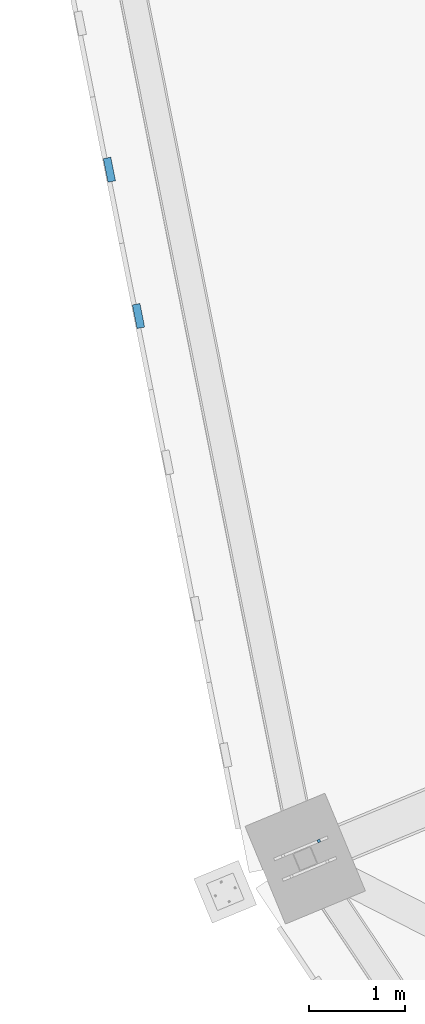
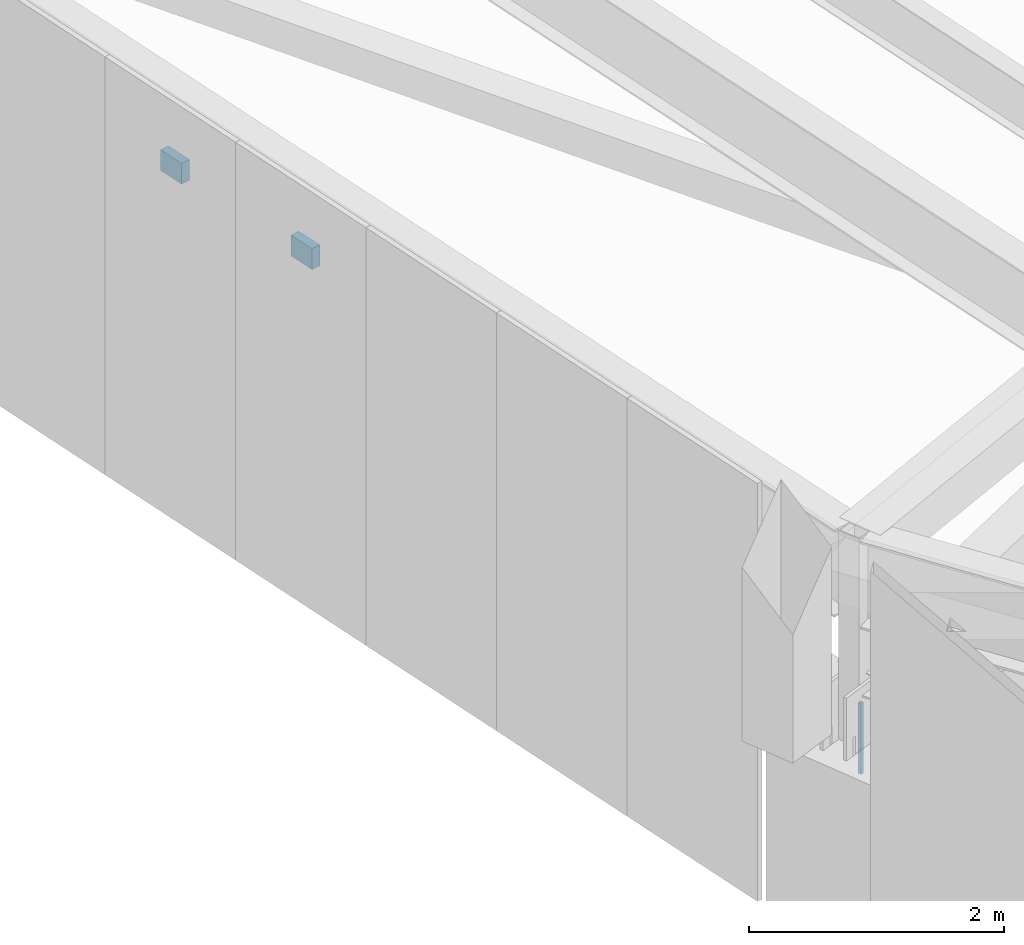
# One storey, part 123 of 278: 2 discrete accessories, 1 mechanical fastener.
"""IFC4 building model written with IfcOpenShell, lengths in metres."""

from ifc_helpers import new_model, si_unit, direction, frame, origin, origin_2d, place, context, subcontext, project, spatial, rectangle, extrude, material, layer, layer_set, type_object, element, save


model = new_model("IFC4")

# Units and contexts
model_context = context("Model", 3, precision=1e-05, world=origin(), true_north=direction((0.0, 1.0)))
body_context = subcontext(model_context, "Body", "Model", "MODEL_VIEW")
ifc_project = project(units=[si_unit("LENGTHUNIT", "METRE"), si_unit("AREAUNIT", "SQUARE_METRE"), si_unit("VOLUMEUNIT", "CUBIC_METRE"), si_unit("PLANEANGLEUNIT", "RADIAN"), si_unit("MASSUNIT", "GRAM", prefix="KILO")], contexts=[model_context])

# Site, building, storey
site_placement = place(None, origin())
site = spatial("IfcSite", under=ifc_project, at=site_placement, CompositionType="ELEMENT")
building_placement = place(site_placement, origin())
building = spatial("IfcBuilding", under=site, at=building_placement, Name="Ogive Plaza Stadium", CompositionType="ELEMENT")
storey_placement = place(building_placement, frame((0.0, 0.0, 29.0)))
storey = spatial("IfcBuildingStorey", under=building, at=storey_placement, Name="Roof", CompositionType="ELEMENT", Elevation=29.0)

# Mechanical fastener
ifc_material_1 = material(Name="Steel ASTM A992 Grade 50", Category="steel")
mechanical_fastener_type = type_object("IfcMechanicalFastenerType", Name="Anchor bolt M30 x 600", PredefinedType="ANCHORBOLT", material=ifc_material_1)
mechanical_fastener_placement = place(storey_placement, frame((-80.052001953125, -71.4501953125, 3.0), z_axis=(0.0, 0.0, 1.0), x_axis=(-0.923879532511, -0.382683432365, 0.0)))
element("IfcMechanicalFastener", 1, at=mechanical_fastener_placement, inside=storey, type_object=mechanical_fastener_type, Name="ANCHOR BOLT 20 BF 2.2", PredefinedType="ANCHORBOLT", context=body_context, shape_type="SweptSolid", body=[
    extrude(rectangle(XDim=0.030029296875, YDim=0.030029296875, at=origin_2d()), origin(), (0.0, 0.0, 1.0), 0.679931640625),
])

# Discrete accessories
ifc_material_2 = material(Name="Steel ASTM A572 Grade 50", Category="steel")
ifc_layer = layer(ifc_material_2, 0.080078125)
ifc_layer_set = layer_set([ifc_layer], Name="Steel ASTM A572 Grade 50")
discrete_accessory_type = type_object("IfcDiscreteAccessoryType", Name="Tracery screen bracket 250x200", PredefinedType="BRACKET", material=ifc_layer_set)
for number, where, z_axis, x_axis, name in (
    (2, (-81.927978515625, -65.989990234375, 5.25), (0.0, 0.0, 1.0), (-0.195090322016, 0.980785280403, 0.0), "TRACERY SCREEN BRACKET B20 4"),
    (3, (-82.230712890625, -64.467529296875, 5.25), (0.0, 0.0, 1.0), (-0.195090322016, 0.980785280403, 0.0), "TRACERY SCREEN BRACKET B20 5"),
):
    element("IfcDiscreteAccessory", number, at=place(storey_placement, frame(where, z_axis=z_axis, x_axis=x_axis)), inside=storey, type_object=discrete_accessory_type, Name=name, PredefinedType="BRACKET", context=body_context, shape_type="SweptSolid", body=[
        extrude(rectangle(XDim=0.25, YDim=0.080078125, at=origin_2d()), origin(), (0.0, 0.0, 1.0), 0.199951171875),
    ])

save(model, "model.ifc")
